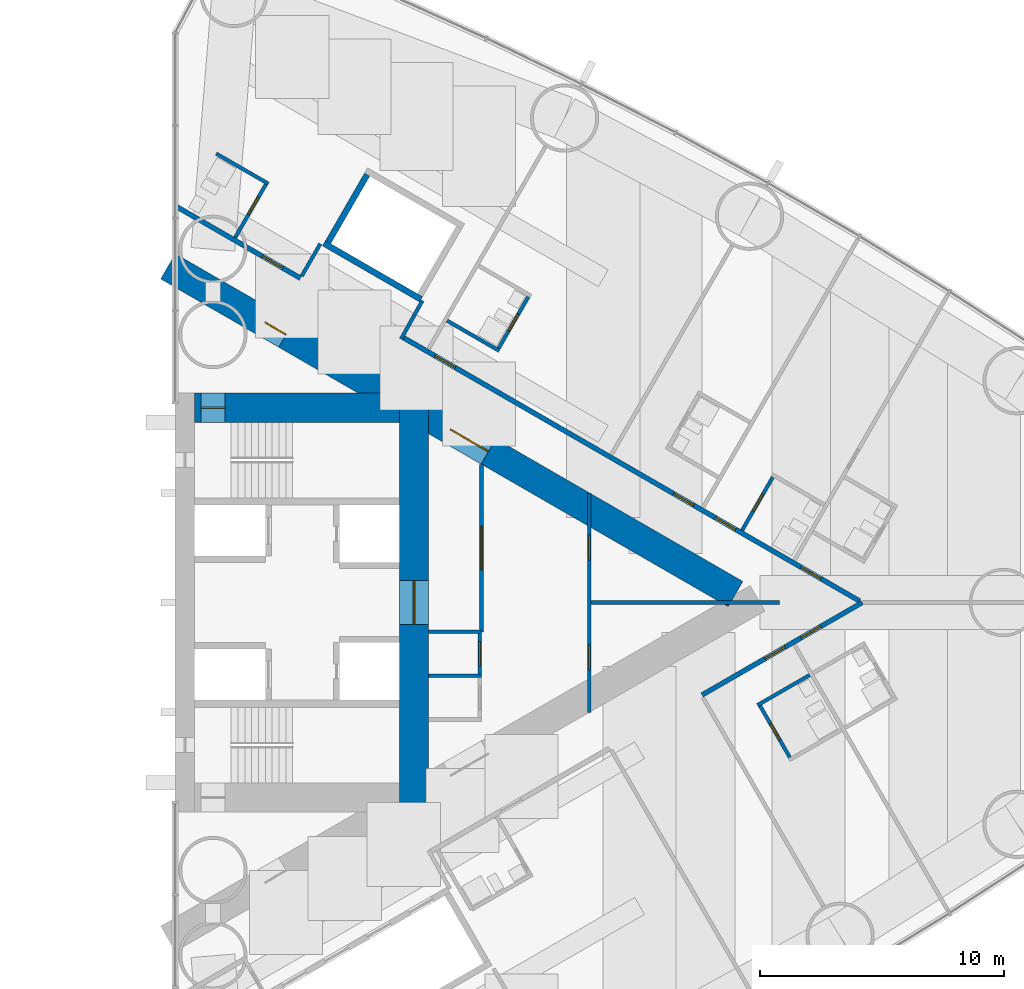
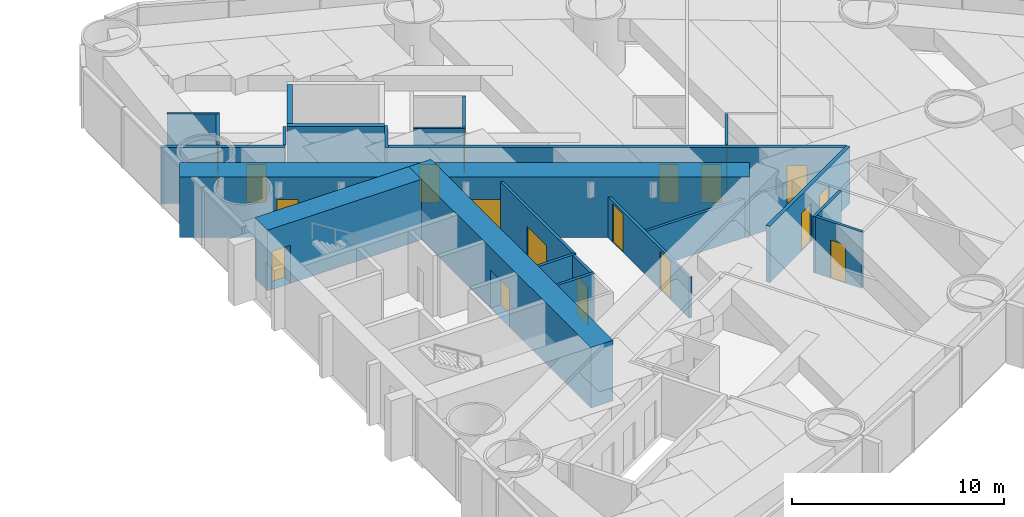
# One storey, part 15 of 19: 23 walls, 19 doors, 19 openings.
"""IFC4 building model written with IfcOpenShell, lengths in metres."""

from ifc_helpers import new_model, si_unit, direction, frame, frame_2d, origin, place, context, subcontext, project, spatial, rectangle, extrude, material, layer, layer_set, type_object, element, fill, save


model = new_model("IFC4")

# Units and contexts
model_context = context("Model", 3, precision=1e-05, world=origin(), true_north=direction((0.0, 1.0)))
body_context = subcontext(model_context, "Body", "Model", "MODEL_VIEW")
ifc_project = project(units=[si_unit("LENGTHUNIT", "METRE"), si_unit("AREAUNIT", "SQUARE_METRE"), si_unit("VOLUMEUNIT", "CUBIC_METRE"), si_unit("PLANEANGLEUNIT", "RADIAN"), si_unit("MASSUNIT", "GRAM", prefix="KILO")], contexts=[model_context])

# Site, building, storey
site_placement = place(None, origin())
site = spatial("IfcSite", under=ifc_project, at=site_placement, CompositionType="ELEMENT")
building_placement = place(site_placement, origin())
building = spatial("IfcBuilding", under=site, at=building_placement, Name="Lancet Gate Hotel", CompositionType="ELEMENT")
storey_placement = place(building_placement, frame((0.0, 0.0, 18.0)))
storey = spatial("IfcBuildingStorey", under=building, at=storey_placement, Name="L03", CompositionType="ELEMENT", Elevation=18.0)

# Wall, opening, door
ifc_material_1 = material(Name="Moisture resistant board partition")
ifc_layer_1 = layer(ifc_material_1, 0.14990234375)
ifc_layer_set_1 = layer_set([ifc_layer_1], Name="Bathroom wall 150")
wall_type_1 = type_object("IfcWallType", Name="Bathroom wall 150", PredefinedType="PARTITIONING", material=ifc_layer_set_1)
wall_1_placement = place(storey_placement, frame((51.47119140625, -4.1748046875, 0.0), z_axis=(0.0, 0.0, 1.0), x_axis=(0.500006934395, -0.866021400173, 0.0)))
wall_1 = element("IfcWall", 1, at=wall_1_placement, inside=storey, type_object=wall_type_1, Name="T2 bathroom wall 150 L03", PredefinedType="PARTITIONING", context=body_context, shape_type="SweptSolid", body=[
    extrude(rectangle(XDim=2.60009765625, YDim=0.14990234375, at=frame_2d((1.300048828125, 0.0))), origin(), (0.0, 0.0, 1.0), 3.25),
])
opening_1_placement = place(wall_1_placement, frame((0.89990234375, 0.0, 0.0)))
opening_1 = element("IfcOpeningElement", 2, at=opening_1_placement, cuts=wall_1, Name="Opening 0356-B", PredefinedType="OPENING", context=body_context, shape_type="SweptSolid", body=[
    extrude(rectangle(XDim=0.800048828125, YDim=2.199951171875, at=frame_2d((0.39990234375, 1.10009765625))), frame((0.0, 0.0849609375, 0.0), z_axis=(0.0, -1.0, 0.0), x_axis=(1.0, 0.0, 0.0)), (0.0, 0.0, 1.0), 0.169921875),
])
ifc_material_2 = material(Name="Timber door set", Category="wood")
door_type_1 = type_object("IfcDoorType", Name="Bathroom door 800", OperationType="SINGLE_SWING_RIGHT", PredefinedType="DOOR", material=ifc_material_2)
door_1_placement = place(opening_1_placement, origin())
door_1 = element("IfcDoor", 3, at=door_1_placement, inside=storey, type_object=door_type_1, Name="0356-B", OperationType="SINGLE_SWING_RIGHT", OverallHeight=2.199951171875, OverallWidth=0.800048828125, PredefinedType="DOOR", context=body_context, shape_type="SweptSolid", body=[
    extrude(rectangle(XDim=0.800048828125, YDim=2.199951171875, at=frame_2d((0.39990234375, 1.10009765625))), frame((0.0, 0.02490234375, 0.0), z_axis=(0.0, -1.0, 0.0), x_axis=(1.0, 0.0, 0.0)), (0.0, 0.0, 1.0), 0.050048828125),
])
fill(opening_1, door_1)

# Wall
wall_2_placement = place(storey_placement, frame((51.40625, -4.21240234375, 0.0), z_axis=(0.0, 0.0, 1.0), x_axis=(0.866031185235, 0.4999899861, 0.0)))
element("IfcWall", 4, at=wall_2_placement, inside=storey, type_object=wall_type_1, Name="T2 bathroom wall 150 L03", PredefinedType="PARTITIONING", context=body_context, shape_type="SweptSolid", body=[
    extrude(rectangle(XDim=2.47509765625, YDim=0.14990234375, at=frame_2d((1.237548828125, 0.0))), origin(), (0.0, 0.0, 1.0), 3.25),
])

# Wall, opening, door
wall_3_placement = place(storey_placement, frame((50.771240234375, 2.96240234375, 0.0), z_axis=(0.0, 0.0, 1.0), x_axis=(0.500006934395, 0.866021400173, 0.0)))
wall_3 = element("IfcWall", 5, at=wall_3_placement, inside=storey, type_object=wall_type_1, Name="T2 bathroom wall 150 L03", PredefinedType="PARTITIONING", context=body_context, shape_type="SweptSolid", body=[
    extrude(rectangle(XDim=2.60009765625, YDim=0.14990234375, at=frame_2d((1.300048828125, 0.0))), origin(), (0.0, 0.0, 1.0), 3.25),
])
opening_2_placement = place(wall_3_placement, frame((0.89990234375, 0.0, 0.0)))
opening_2 = element("IfcOpeningElement", 6, at=opening_2_placement, cuts=wall_3, Name="Opening 0359-B", PredefinedType="OPENING", context=body_context, shape_type="SweptSolid", body=[
    extrude(rectangle(XDim=0.800048828125, YDim=2.199951171875, at=frame_2d((0.39990234375, 1.10009765625))), frame((0.0, 0.0849609375, 0.0), z_axis=(0.0, -1.0, 0.0), x_axis=(1.0, 0.0, 0.0)), (0.0, 0.0, 1.0), 0.169921875),
])
door_2_placement = place(opening_2_placement, origin())
door_2 = element("IfcDoor", 7, at=door_2_placement, inside=storey, type_object=door_type_1, Name="0359-B", OperationType="SINGLE_SWING_RIGHT", OverallHeight=2.199951171875, OverallWidth=0.800048828125, PredefinedType="DOOR", context=body_context, shape_type="SweptSolid", body=[
    extrude(rectangle(XDim=0.800048828125, YDim=2.199951171875, at=frame_2d((0.39990234375, 1.10009765625))), frame((0.0, 0.02490234375, 0.0), z_axis=(0.0, -1.0, 0.0), x_axis=(1.0, 0.0, 0.0)), (0.0, 0.0, 1.0), 0.050048828125),
])
fill(opening_2, door_2)

wall_4_placement = place(storey_placement, frame((40.738525390625, 10.371337890625, 0.0), z_axis=(0.0, 0.0, 1.0), x_axis=(0.500006934395, 0.866021400173, 0.0)))
wall_4 = element("IfcWall", 8, at=wall_4_placement, inside=storey, type_object=wall_type_1, Name="T2 bathroom wall 150 L03", PredefinedType="PARTITIONING", context=body_context, shape_type="SweptSolid", body=[
    extrude(rectangle(XDim=2.60009765625, YDim=0.14990234375, at=frame_2d((1.300048828125, 0.0))), origin(), (0.0, 0.0, 1.0), 3.25),
])
opening_3_placement = place(wall_4_placement, frame((0.89990234375, 0.0, 0.0)))
opening_3 = element("IfcOpeningElement", 9, at=opening_3_placement, cuts=wall_4, Name="Opening 0361-B", PredefinedType="OPENING", context=body_context, shape_type="SweptSolid", body=[
    extrude(rectangle(XDim=0.800048828125, YDim=2.199951171875, at=frame_2d((0.39990234375, 1.10009765625))), frame((0.0, 0.0849609375, 0.0), z_axis=(0.0, -1.0, 0.0), x_axis=(1.0, 0.0, 0.0)), (0.0, 0.0, 1.0), 0.169921875),
])
door_3_placement = place(opening_3_placement, origin())
door_3 = element("IfcDoor", 10, at=door_3_placement, inside=storey, type_object=door_type_1, Name="0361-B", OperationType="SINGLE_SWING_RIGHT", OverallHeight=2.199951171875, OverallWidth=0.800048828125, PredefinedType="DOOR", context=body_context, shape_type="SweptSolid", body=[
    extrude(rectangle(XDim=0.800048828125, YDim=2.199951171875, at=frame_2d((0.39990234375, 1.10009765625))), frame((0.0, 0.02490234375, 0.0), z_axis=(0.0, -1.0, 0.0), x_axis=(1.0, 0.0, 0.0)), (0.0, 0.0, 1.0), 0.050048828125),
])
fill(opening_3, door_3)

# Walls
for number, where, z_axis, x_axis, name in (
    (11, (38.66015625, 11.5712890625, 0.0), (0.0, 0.0, 1.0), (0.866006523861, -0.500032699561, 0.0), "T2 bathroom wall 150 L03"),
    (12, (29.181884765625, 18.42919921875, 0.0), (0.0, 0.0, 1.0), (0.866006523861, -0.500032699561, 0.0), "T2 bathroom wall 150 L03"),
):
    element("IfcWall", number, at=place(storey_placement, frame(where, z_axis=z_axis, x_axis=x_axis)), inside=storey, type_object=wall_type_1, Name=name, PredefinedType="PARTITIONING", context=body_context, shape_type="SweptSolid", body=[
        extrude(rectangle(XDim=2.474853515625, YDim=0.14990234375, at=frame_2d((1.2373046875, 0.0))), origin(), (0.0, 0.0, 1.0), 3.25),
    ])

# Wall, opening, door
wall_5_placement = place(storey_placement, frame((29.960205078125, 14.9775390625, 0.0), z_axis=(0.0, 0.0, 1.0), x_axis=(0.500006934395, 0.866021400173, 0.0)))
wall_5 = element("IfcWall", 13, at=wall_5_placement, inside=storey, type_object=wall_type_1, Name="T2 bathroom wall 150 L03", PredefinedType="PARTITIONING", context=body_context, shape_type="SweptSolid", body=[
    extrude(rectangle(XDim=2.60009765625, YDim=0.14990234375, at=frame_2d((1.300048828125, 0.0))), origin(), (0.0, 0.0, 1.0), 3.25),
])
opening_4_placement = place(wall_5_placement, frame((1.10009765625, 0.0, 0.0)))
opening_4 = element("IfcOpeningElement", 14, at=opening_4_placement, cuts=wall_5, Name="Opening 0363-B", PredefinedType="OPENING", context=body_context, shape_type="SweptSolid", body=[
    extrude(rectangle(XDim=0.800048828125, YDim=2.199951171875, at=frame_2d((0.39990234375, 1.10009765625))), frame((0.0, 0.0849609375, 0.0), z_axis=(0.0, -1.0, 0.0), x_axis=(1.0, 0.0, 0.0)), (0.0, 0.0, 1.0), 0.169921875),
])
door_4_placement = place(opening_4_placement, origin())
door_4 = element("IfcDoor", 15, at=door_4_placement, inside=storey, type_object=door_type_1, Name="0363-B", OperationType="SINGLE_SWING_RIGHT", OverallHeight=2.199951171875, OverallWidth=0.800048828125, PredefinedType="DOOR", context=body_context, shape_type="SweptSolid", body=[
    extrude(rectangle(XDim=0.800048828125, YDim=2.199951171875, at=frame_2d((0.39990234375, 1.10009765625))), frame((0.0, 0.02490234375, 0.0), z_axis=(0.0, -1.0, 0.0), x_axis=(1.0, 0.0, 0.0)), (0.0, 0.0, 1.0), 0.050048828125),
])
fill(opening_4, door_4)

# Wall, openings, doors
ifc_material_3 = material(Name="Concrete C70/85", Category="concrete")
ifc_layer_2 = layer(ifc_material_3, 1.199951171875)
ifc_layer_set_2 = layer_set([ifc_layer_2], Name="Buttress wall 1200")
wall_type_2 = type_object("IfcWallType", Name="Buttress wall 1200", PredefinedType="SHEAR", material=ifc_layer_set_2)
wall_6_placement = place(storey_placement, frame((27.199951171875, 13.800048828125, 0.0), z_axis=(0.0, 0.0, 1.0), x_axis=(0.866024515034, -0.500001539357, 0.0)))
wall_6 = element("IfcWall", 16, at=wall_6_placement, inside=storey, type_object=wall_type_2, Name="T2 buttress wall N L03", PredefinedType="SHEAR", context=body_context, shape_type="SweptSolid", body=[
    extrude(rectangle(XDim=26.9072265625, YDim=1.199951171875, at=frame_2d((13.45361328125, 0.0))), origin(), (0.0, 0.0, 1.0), 3.5),
])
opening_5_placement = place(wall_6_placement, frame((4.60009765625, 0.0, 0.0)))
opening_5 = element("IfcOpeningElement", 17, at=opening_5_placement, cuts=wall_6, Name="Opening T2-L03-LN", PredefinedType="OPENING", context=body_context, shape_type="SweptSolid", body=[
    extrude(rectangle(XDim=1.0, YDim=2.199951171875, at=frame_2d((0.5, 1.10009765625))), frame((0.0, 0.60986328125, 0.0), z_axis=(0.0, -1.0, 0.0), x_axis=(1.0, 0.0, 0.0)), (0.0, 0.0, 1.0), 1.219970703125),
])
opening_6_placement = place(wall_6_placement, frame((13.39453125, 0.0, 0.0)))
opening_6 = element("IfcOpeningElement", 18, at=opening_6_placement, cuts=wall_6, Name="Opening T2-L03-LHN", PredefinedType="OPENING", context=body_context, shape_type="SweptSolid", body=[
    extrude(rectangle(XDim=1.800048828125, YDim=2.199951171875, at=frame_2d((0.89990234375, 1.10009765625))), frame((0.0, 0.60986328125, 0.0), z_axis=(0.0, -1.0, 0.0), x_axis=(1.0, 0.0, 0.0)), (0.0, 0.0, 1.0), 1.219970703125),
])
ifc_material_4 = material(Name="Timber door set", Category="wood")
door_type_2 = type_object("IfcDoorType", Name="Lobby double door 1800", OperationType="DOUBLE_DOOR_SINGLE_SWING", PredefinedType="DOOR", material=ifc_material_4)
door_5_placement = place(opening_6_placement, origin())
door_5 = element("IfcDoor", 19, at=door_5_placement, inside=storey, type_object=door_type_2, Name="T2-L03-LHN", OperationType="DOUBLE_DOOR_SINGLE_SWING", OverallHeight=2.199951171875, OverallWidth=1.800048828125, PredefinedType="DOOR", context=body_context, shape_type="SweptSolid", body=[
    extrude(rectangle(XDim=1.800048828125, YDim=2.199951171875, at=frame_2d((0.89990234375, 1.10009765625))), frame((0.0, 0.02490234375, 0.0), z_axis=(0.0, -1.0, 0.0), x_axis=(1.0, 0.0, 0.0)), (0.0, 0.0, 1.0), 0.050048828125),
])
fill(opening_6, door_5)
ifc_material_5 = material(Name="Timber door set", Category="wood")
door_type_3 = type_object("IfcDoorType", Name="Stair lobby door 1000", OperationType="SINGLE_SWING_LEFT", PredefinedType="DOOR", material=ifc_material_5)
door_6_placement = place(opening_5_placement, origin())
door_6 = element("IfcDoor", 20, at=door_6_placement, inside=storey, type_object=door_type_3, Name="T2-L03-LN", OperationType="SINGLE_SWING_LEFT", OverallHeight=2.199951171875, OverallWidth=1.0, PredefinedType="DOOR", context=body_context, shape_type="SweptSolid", body=[
    extrude(rectangle(XDim=1.0, YDim=2.199951171875, at=frame_2d((0.5, 1.10009765625))), frame((0.0, 0.02490234375, 0.0), z_axis=(0.0, -1.0, 0.0), x_axis=(1.0, 0.0, 0.0)), (0.0, 0.0, 1.0), 0.050048828125),
])
fill(opening_5, door_6)

# Wall, opening, door
ifc_material_6 = material(Name="Concrete C70/85", Category="concrete")
ifc_layer_3 = layer(ifc_material_6, 1.199951171875)
ifc_layer_set_3 = layer_set([ifc_layer_3], Name="Core wall 1200")
wall_type_3 = type_object("IfcWallType", Name="Core wall 1200", PredefinedType="SHEAR", material=ifc_layer_set_3)
wall_7_placement = place(storey_placement, frame((37.300048828125, -8.60009765625, 0.0), z_axis=(0.0, 0.0, 1.0), x_axis=(0.0, 1.0, 0.0)))
wall_7 = element("IfcWall", 21, at=wall_7_placement, inside=storey, type_object=wall_type_3, Name="T2 core wall back L03", PredefinedType="SHEAR", context=body_context, shape_type="SweptSolid", body=[
    extrude(rectangle(XDim=17.2001953125, YDim=1.199951171875, at=frame_2d((8.60009765625, 0.0))), origin(), (0.0, 0.0, 1.0), 3.5),
])
opening_7_placement = place(wall_7_placement, frame((7.699951171875, 0.0, 0.0)))
opening_7 = element("IfcOpeningElement", 22, at=opening_7_placement, cuts=wall_7, Name="Opening T2-L03-LL", PredefinedType="OPENING", context=body_context, shape_type="SweptSolid", body=[
    extrude(rectangle(XDim=1.800048828125, YDim=2.199951171875, at=frame_2d((0.89990234375, 1.10009765625))), frame((0.0, 0.60986328125, 0.0), z_axis=(0.0, -1.0, 0.0), x_axis=(1.0, 0.0, 0.0)), (0.0, 0.0, 1.0), 1.219970703125),
])
door_7_placement = place(opening_7_placement, origin())
door_7 = element("IfcDoor", 23, at=door_7_placement, inside=storey, type_object=door_type_2, Name="T2-L03-LL", OperationType="DOUBLE_DOOR_SINGLE_SWING", OverallHeight=2.199951171875, OverallWidth=1.800048828125, PredefinedType="DOOR", context=body_context, shape_type="SweptSolid", body=[
    extrude(rectangle(XDim=1.800048828125, YDim=2.199951171875, at=frame_2d((0.89990234375, 1.10009765625))), frame((0.0, 0.02490234375, 0.0), z_axis=(0.0, -1.0, 0.0), x_axis=(1.0, 0.0, 0.0)), (0.0, 0.0, 1.0), 0.050048828125),
])
fill(opening_7, door_7)

wall_8_placement = place(storey_placement, frame((28.300048828125, 8.0, 0.0), z_axis=(0.0, 0.0, 1.0), x_axis=(1.0, 0.0, 0.0)))
wall_8 = element("IfcWall", 24, at=wall_8_placement, inside=storey, type_object=wall_type_3, Name="T2 core wall side-N L03", PredefinedType="SHEAR", context=body_context, shape_type="SweptSolid", body=[
    extrude(rectangle(XDim=8.39990234375, YDim=1.199951171875, at=frame_2d((4.199951171875, 0.0))), origin(), (0.0, 0.0, 1.0), 3.5),
])
opening_8_placement = place(wall_8_placement, frame((0.25, 0.0, 0.0)))
opening_8 = element("IfcOpeningElement", 25, at=opening_8_placement, cuts=wall_8, Name="Opening T2-L03-ST2", PredefinedType="OPENING", context=body_context, shape_type="SweptSolid", body=[
    extrude(rectangle(XDim=1.0, YDim=2.199951171875, at=frame_2d((0.5, 1.10009765625))), frame((0.0, 0.60986328125, 0.0), z_axis=(0.0, -1.0, 0.0), x_axis=(1.0, 0.0, 0.0)), (0.0, 0.0, 1.0), 1.219970703125),
])
ifc_material_7 = material(Name="Timber door set", Category="wood")
door_type_4 = type_object("IfcDoorType", Name="Stair door 1000", OperationType="SINGLE_SWING_RIGHT", PredefinedType="DOOR", material=ifc_material_7)
door_8_placement = place(opening_8_placement, origin())
door_8 = element("IfcDoor", 26, at=door_8_placement, inside=storey, type_object=door_type_4, Name="T2-L03-ST2", OperationType="SINGLE_SWING_RIGHT", OverallHeight=2.199951171875, OverallWidth=1.0, PredefinedType="DOOR", context=body_context, shape_type="SweptSolid", body=[
    extrude(rectangle(XDim=1.0, YDim=2.199951171875, at=frame_2d((0.5, 1.10009765625))), frame((0.0, 0.02490234375, 0.0), z_axis=(0.0, -1.0, 0.0), x_axis=(1.0, 0.0, 0.0)), (0.0, 0.0, 1.0), 0.050048828125),
])
fill(opening_8, door_8)

ifc_material_8 = material(Name="Gypsum board partition")
ifc_layer_4 = layer(ifc_material_8, 0.199951171875)
ifc_layer_set_4 = layer_set([ifc_layer_4], Name="Corridor wall 200")
wall_type_4 = type_object("IfcWallType", Name="Corridor wall 200", PredefinedType="PARTITIONING", material=ifc_layer_set_4)
wall_9_placement = place(storey_placement, frame((27.572021484375, 16.240966796875, 0.0), z_axis=(0.0, 0.0, 1.0), x_axis=(0.866032814021, -0.499987164874, 0.0)))
wall_9 = element("IfcWall", 27, at=wall_9_placement, inside=storey, type_object=wall_type_4, Name="T2 corridor wall 200 L03", PredefinedType="PARTITIONING", context=body_context, shape_type="SweptSolid", body=[
    extrude(rectangle(XDim=5.854736328125, YDim=0.199951171875, at=frame_2d((2.92724609375, 0.0))), origin(), (0.0, 0.0, 1.0), 3.25),
])
opening_9_placement = place(wall_9_placement, frame((4.050048828125, 0.0, 0.0)))
opening_9 = element("IfcOpeningElement", 28, at=opening_9_placement, cuts=wall_9, Name="Opening 0363-E", PredefinedType="OPENING", context=body_context, shape_type="SweptSolid", body=[
    extrude(rectangle(XDim=0.949951171875, YDim=2.199951171875, at=frame_2d((0.47509765625, 1.10009765625))), frame((0.0, 0.10986328125, 0.0), z_axis=(0.0, -1.0, 0.0), x_axis=(1.0, 0.0, 0.0)), (0.0, 0.0, 1.0), 0.219970703125),
])
ifc_material_9 = material(Name="Timber door set", Category="wood")
door_type_5 = type_object("IfcDoorType", Name="Guest room entry door 950", OperationType="SINGLE_SWING_LEFT", PredefinedType="DOOR", material=ifc_material_9)
door_9_placement = place(opening_9_placement, origin())
door_9 = element("IfcDoor", 29, at=door_9_placement, inside=storey, type_object=door_type_5, Name="0363-E", OperationType="SINGLE_SWING_LEFT", OverallHeight=2.199951171875, OverallWidth=0.949951171875, PredefinedType="DOOR", context=body_context, shape_type="SweptSolid", body=[
    extrude(rectangle(XDim=0.949951171875, YDim=2.199951171875, at=frame_2d((0.47509765625, 1.10009765625))), frame((0.0, 0.02490234375, 0.0), z_axis=(0.0, -1.0, 0.0), x_axis=(1.0, 0.0, 0.0)), (0.0, 0.0, 1.0), 0.050048828125),
])
fill(opening_9, door_9)

# Wall, openings, doors
wall_10_placement = place(storey_placement, frame((36.833984375, 10.8935546875, 0.0), z_axis=(0.0, 0.0, 1.0), x_axis=(0.866028157229, -0.499995230863, 0.0)))
wall_10 = element("IfcWall", 30, at=wall_10_placement, inside=storey, type_object=wall_type_4, Name="T2 corridor wall 200 L03", PredefinedType="PARTITIONING", context=body_context, shape_type="SweptSolid", body=[
    extrude(rectangle(XDim=21.667236328125, YDim=0.199951171875, at=frame_2d((10.83349609375, 0.0))), origin(), (0.0, 0.0, 1.0), 3.25),
])
opening_10_placement = place(wall_10_placement, frame((18.885498046875, 0.0, 0.0)))
opening_10 = element("IfcOpeningElement", 31, at=opening_10_placement, cuts=wall_10, Name="Opening 0358-E", PredefinedType="OPENING", context=body_context, shape_type="SweptSolid", body=[
    extrude(rectangle(XDim=0.949951171875, YDim=2.199951171875, at=frame_2d((0.47509765625, 1.10009765625))), frame((0.0, 0.10986328125, 0.0), z_axis=(0.0, -1.0, 0.0), x_axis=(1.0, 0.0, 0.0)), (0.0, 0.0, 1.0), 0.219970703125),
])
opening_11_placement = place(wall_10_placement, frame((14.83544921875, 0.0, 0.0)))
opening_11 = element("IfcOpeningElement", 32, at=opening_11_placement, cuts=wall_10, Name="Opening 0359-E", PredefinedType="OPENING", context=body_context, shape_type="SweptSolid", body=[
    extrude(rectangle(XDim=0.949951171875, YDim=2.199951171875, at=frame_2d((0.47509765625, 1.10009765625))), frame((0.0, 0.10986328125, 0.0), z_axis=(0.0, -1.0, 0.0), x_axis=(1.0, 0.0, 0.0)), (0.0, 0.0, 1.0), 0.219970703125),
])
opening_12_placement = place(wall_10_placement, frame((12.849609375, 0.0, 0.0)))
opening_12 = element("IfcOpeningElement", 33, at=opening_12_placement, cuts=wall_10, Name="Opening 0360-E", PredefinedType="OPENING", context=body_context, shape_type="SweptSolid", body=[
    extrude(rectangle(XDim=0.949951171875, YDim=2.199951171875, at=frame_2d((0.47509765625, 1.10009765625))), frame((0.0, 0.10986328125, 0.0), z_axis=(0.0, -1.0, 0.0), x_axis=(1.0, 0.0, 0.0)), (0.0, 0.0, 1.0), 0.219970703125),
])
opening_13_placement = place(wall_10_placement, frame((1.54248046875, 0.0, 0.0)))
opening_13 = element("IfcOpeningElement", 34, at=opening_13_placement, cuts=wall_10, Name="Opening 0361-E", PredefinedType="OPENING", context=body_context, shape_type="SweptSolid", body=[
    extrude(rectangle(XDim=0.949951171875, YDim=2.199951171875, at=frame_2d((0.47509765625, 1.10009765625))), frame((0.0, 0.10986328125, 0.0), z_axis=(0.0, -1.0, 0.0), x_axis=(1.0, 0.0, 0.0)), (0.0, 0.0, 1.0), 0.219970703125),
])
door_10_placement = place(opening_10_placement, origin())
door_10 = element("IfcDoor", 35, at=door_10_placement, inside=storey, type_object=door_type_5, Name="0358-E", OperationType="SINGLE_SWING_LEFT", OverallHeight=2.199951171875, OverallWidth=0.949951171875, PredefinedType="DOOR", context=body_context, shape_type="SweptSolid", body=[
    extrude(rectangle(XDim=0.949951171875, YDim=2.199951171875, at=frame_2d((0.47509765625, 1.10009765625))), frame((0.0, 0.02490234375, 0.0), z_axis=(0.0, -1.0, 0.0), x_axis=(1.0, 0.0, 0.0)), (0.0, 0.0, 1.0), 0.050048828125),
])
fill(opening_10, door_10)
door_11_placement = place(opening_11_placement, origin())
door_11 = element("IfcDoor", 36, at=door_11_placement, inside=storey, type_object=door_type_5, Name="0359-E", OperationType="SINGLE_SWING_LEFT", OverallHeight=2.199951171875, OverallWidth=0.949951171875, PredefinedType="DOOR", context=body_context, shape_type="SweptSolid", body=[
    extrude(rectangle(XDim=0.949951171875, YDim=2.199951171875, at=frame_2d((0.47509765625, 1.10009765625))), frame((0.0, 0.02490234375, 0.0), z_axis=(0.0, -1.0, 0.0), x_axis=(1.0, 0.0, 0.0)), (0.0, 0.0, 1.0), 0.050048828125),
])
fill(opening_11, door_11)
door_12_placement = place(opening_12_placement, origin())
door_12 = element("IfcDoor", 37, at=door_12_placement, inside=storey, type_object=door_type_5, Name="0360-E", OperationType="SINGLE_SWING_LEFT", OverallHeight=2.199951171875, OverallWidth=0.949951171875, PredefinedType="DOOR", context=body_context, shape_type="SweptSolid", body=[
    extrude(rectangle(XDim=0.949951171875, YDim=2.199951171875, at=frame_2d((0.47509765625, 1.10009765625))), frame((0.0, 0.02490234375, 0.0), z_axis=(0.0, -1.0, 0.0), x_axis=(1.0, 0.0, 0.0)), (0.0, 0.0, 1.0), 0.050048828125),
])
fill(opening_12, door_12)
door_13_placement = place(opening_13_placement, origin())
door_13 = element("IfcDoor", 38, at=door_13_placement, inside=storey, type_object=door_type_5, Name="0361-E", OperationType="SINGLE_SWING_LEFT", OverallHeight=2.199951171875, OverallWidth=0.949951171875, PredefinedType="DOOR", context=body_context, shape_type="SweptSolid", body=[
    extrude(rectangle(XDim=0.949951171875, YDim=2.199951171875, at=frame_2d((0.47509765625, 1.10009765625))), frame((0.0, 0.02490234375, 0.0), z_axis=(0.0, -1.0, 0.0), x_axis=(1.0, 0.0, 0.0)), (0.0, 0.0, 1.0), 0.050048828125),
])
fill(opening_13, door_13)

wall_11_placement = place(storey_placement, frame((49.131103515625, -3.793701171875, 0.0), z_axis=(0.0, 0.0, 1.0), x_axis=(0.866030732979, 0.499990769451, 0.0)))
wall_11 = element("IfcWall", 39, at=wall_11_placement, inside=storey, type_object=wall_type_4, Name="T2 corridor wall 200 L03", PredefinedType="PARTITIONING", context=body_context, shape_type="SweptSolid", body=[
    extrude(rectangle(XDim=7.587646484375, YDim=0.199951171875, at=frame_2d((3.7939453125, 0.0))), origin(), (0.0, 0.0, 1.0), 3.25),
])
opening_14_placement = place(wall_11_placement, frame((2.986083984375, 0.0, 0.0)))
opening_14 = element("IfcOpeningElement", 40, at=opening_14_placement, cuts=wall_11, Name="Opening 0356-E", PredefinedType="OPENING", context=body_context, shape_type="SweptSolid", body=[
    extrude(rectangle(XDim=0.949951171875, YDim=2.199951171875, at=frame_2d((0.47509765625, 1.10009765625))), frame((0.0, 0.10986328125, 0.0), z_axis=(0.0, -1.0, 0.0), x_axis=(1.0, 0.0, 0.0)), (0.0, 0.0, 1.0), 0.219970703125),
])
opening_15_placement = place(wall_11_placement, frame((4.68603515625, 0.0, 0.0)))
opening_15 = element("IfcOpeningElement", 41, at=opening_15_placement, cuts=wall_11, Name="Opening 0357-E", PredefinedType="OPENING", context=body_context, shape_type="SweptSolid", body=[
    extrude(rectangle(XDim=0.949951171875, YDim=2.199951171875, at=frame_2d((0.47509765625, 1.10009765625))), frame((0.0, 0.10986328125, 0.0), z_axis=(0.0, -1.0, 0.0), x_axis=(1.0, 0.0, 0.0)), (0.0, 0.0, 1.0), 0.219970703125),
])
door_14_placement = place(opening_14_placement, origin())
door_14 = element("IfcDoor", 42, at=door_14_placement, inside=storey, type_object=door_type_5, Name="0356-E", OperationType="SINGLE_SWING_LEFT", OverallHeight=2.199951171875, OverallWidth=0.949951171875, PredefinedType="DOOR", context=body_context, shape_type="SweptSolid", body=[
    extrude(rectangle(XDim=0.949951171875, YDim=2.199951171875, at=frame_2d((0.47509765625, 1.10009765625))), frame((0.0, 0.02490234375, 0.0), z_axis=(0.0, -1.0, 0.0), x_axis=(1.0, 0.0, 0.0)), (0.0, 0.0, 1.0), 0.050048828125),
])
fill(opening_14, door_14)
door_15_placement = place(opening_15_placement, origin())
door_15 = element("IfcDoor", 43, at=door_15_placement, inside=storey, type_object=door_type_5, Name="0357-E", OperationType="SINGLE_SWING_LEFT", OverallHeight=2.199951171875, OverallWidth=0.949951171875, PredefinedType="DOOR", context=body_context, shape_type="SweptSolid", body=[
    extrude(rectangle(XDim=0.949951171875, YDim=2.199951171875, at=frame_2d((0.47509765625, 1.10009765625))), frame((0.0, 0.02490234375, 0.0), z_axis=(0.0, -1.0, 0.0), x_axis=(1.0, 0.0, 0.0)), (0.0, 0.0, 1.0), 0.050048828125),
])
fill(opening_15, door_15)

# Walls
ifc_material_10 = material(Name="Gypsum board partition")
ifc_layer_5 = layer(ifc_material_10, 0.25)
ifc_layer_set_5 = layer_set([ifc_layer_5], Name="Lift shaft partition 250")
wall_type_5 = type_object("IfcWallType", Name="Lift shaft partition 250", PredefinedType="PARTITIONING", material=ifc_layer_set_5)
wall_12_placement = place(storey_placement, frame((33.6083984375, 14.747314453125, 0.0), z_axis=(0.0, 0.0, 1.0), x_axis=(0.866043305498, -0.49996899204, 0.0)))
element("IfcWall", 44, at=wall_12_placement, inside=storey, type_object=wall_type_5, Name="T2 lift shaft wall EX L03", PredefinedType="PARTITIONING", context=body_context, shape_type="SweptSolid", body=[
    extrude(rectangle(XDim=4.600341796875, YDim=0.25, at=frame_2d((2.30029296875, 0.0))), origin(), (0.0, 0.0, 1.0), 3.25),
])
wall_13_placement = place(storey_placement, frame((33.779296875, 14.79296875, 0.0), z_axis=(0.0, 0.0, 1.0), x_axis=(0.499929347863, 0.866066190972, 0.0)))
element("IfcWall", 45, at=wall_13_placement, inside=storey, type_object=wall_type_5, Name="T2 lift shaft wall EX L03", PredefinedType="PARTITIONING", context=body_context, shape_type="SweptSolid", body=[
    extrude(rectangle(XDim=3.20068359375, YDim=0.25, at=frame_2d((1.600341796875, 0.0))), origin(), (0.0, 0.0, 1.0), 3.25),
])
ifc_material_11 = material(Name="Gypsum board partition")
ifc_layer_6 = layer(ifc_material_11, 0.14990234375)
ifc_layer_set_6 = layer_set([ifc_layer_6], Name="Service room wall 150")
wall_type_6 = type_object("IfcWallType", Name="Service room wall 150", PredefinedType="PARTITIONING", material=ifc_layer_set_6)
wall_14_placement = place(storey_placement, frame((36.77099609375, 10.814453125, 0.0), z_axis=(0.0, 0.0, 1.0), x_axis=(0.485585508183, 0.874189175317, 0.0)))
element("IfcWall", 46, at=wall_14_placement, inside=storey, type_object=wall_type_6, Name="T2 service room wall 150 L03", PredefinedType="PARTITIONING", context=body_context, shape_type="SweptSolid", body=[
    extrude(rectangle(XDim=1.804931640625, YDim=0.14990234375, at=frame_2d((0.90234375, 0.0))), origin(), (0.0, 0.0, 1.0), 3.25),
])
wall_15_placement = place(storey_placement, frame((32.6923828125, 13.400390625, 0.0), z_axis=(0.0, 0.0, 1.0), x_axis=(0.499985008713, 0.866034058835, 0.0)))
element("IfcWall", 47, at=wall_15_placement, inside=storey, type_object=wall_type_6, Name="T2 service room wall 150 L03", PredefinedType="PARTITIONING", context=body_context, shape_type="SweptSolid", body=[
    extrude(rectangle(XDim=1.529296875, YDim=0.14990234375, at=frame_2d((0.7646484375, 0.0))), origin(), (0.0, 0.0, 1.0), 3.25),
])
for number, where, z_axis, x_axis, name in (
    (48, (37.89990234375, -1.199951171875, 0.0), (0.0, 0.0, 1.0), (1.0, 0.0, 0.0), "T2 service room wall 150 L03"),
    (49, (37.89990234375, -3.0, 0.0), (0.0, 0.0, 1.0), (1.0, 0.0, 0.0), "T2 service room wall 150 L03"),
):
    element("IfcWall", number, at=place(storey_placement, frame(where, z_axis=z_axis, x_axis=x_axis)), inside=storey, type_object=wall_type_6, Name=name, PredefinedType="PARTITIONING", context=body_context, shape_type="SweptSolid", body=[
        extrude(rectangle(XDim=2.175048828125, YDim=0.14990234375, at=frame_2d((1.08740234375, 0.0))), origin(), (0.0, 0.0, 1.0), 3.25),
    ])

# Wall, opening, door
wall_16_placement = place(storey_placement, frame((40.0, -3.074951171875, 0.0), z_axis=(0.0, 0.0, 1.0), x_axis=(0.0, 1.0, 0.0)))
wall_16 = element("IfcWall", 50, at=wall_16_placement, inside=storey, type_object=wall_type_6, Name="T2 service room wall 150 L03", PredefinedType="PARTITIONING", context=body_context, shape_type="SweptSolid", body=[
    extrude(rectangle(XDim=1.949951171875, YDim=0.14990234375, at=frame_2d((0.97509765625, 0.0))), origin(), (0.0, 0.0, 1.0), 3.25),
])
opening_16_placement = place(wall_16_placement, frame((0.47509765625, 0.0, 0.0)))
opening_16 = element("IfcOpeningElement", 51, at=opening_16_placement, cuts=wall_16, Name="Opening T2-L03-HRS0", PredefinedType="OPENING", context=body_context, shape_type="SweptSolid", body=[
    extrude(rectangle(XDim=1.0, YDim=2.199951171875, at=frame_2d((0.5, 1.10009765625))), frame((0.0, 0.0849609375, 0.0), z_axis=(0.0, -1.0, 0.0), x_axis=(1.0, 0.0, 0.0)), (0.0, 0.0, 1.0), 0.169921875),
])
ifc_material_12 = material(Name="Timber door set", Category="wood")
door_type_6 = type_object("IfcDoorType", Name="Service door 1000", OperationType="SINGLE_SWING_LEFT", PredefinedType="DOOR", material=ifc_material_12)
door_16_placement = place(opening_16_placement, origin())
door_16 = element("IfcDoor", 52, at=door_16_placement, inside=storey, type_object=door_type_6, Name="T2-L03-HRS0", OperationType="SINGLE_SWING_LEFT", OverallHeight=2.199951171875, OverallWidth=1.0, PredefinedType="DOOR", context=body_context, shape_type="SweptSolid", body=[
    extrude(rectangle(XDim=1.0, YDim=2.199951171875, at=frame_2d((0.5, 1.10009765625))), frame((0.0, 0.02490234375, 0.0), z_axis=(0.0, -1.0, 0.0), x_axis=(1.0, 0.0, 0.0)), (0.0, 0.0, 1.0), 0.050048828125),
])
fill(opening_16, door_16)

wall_17_placement = place(storey_placement, frame((40.074951171875, -1.199951171875, 0.0), z_axis=(0.0, 0.0, 1.0), x_axis=(0.0, 1.0, 0.0)))
wall_17 = element("IfcWall", 53, at=wall_17_placement, inside=storey, type_object=wall_type_6, Name="T2 service room wall 150 L03", PredefinedType="PARTITIONING", context=body_context, shape_type="SweptSolid", body=[
    extrude(rectangle(XDim=6.873779296875, YDim=0.14990234375, at=frame_2d((3.43701171875, 0.0))), origin(), (0.0, 0.0, 1.0), 3.25),
])
opening_17_placement = place(wall_17_placement, frame((2.536865234375, 0.0, 0.0)))
opening_17 = element("IfcOpeningElement", 54, at=opening_17_placement, cuts=wall_17, Name="Opening T2-L03-LH", PredefinedType="OPENING", context=body_context, shape_type="SweptSolid", body=[
    extrude(rectangle(XDim=1.800048828125, YDim=2.199951171875, at=frame_2d((0.89990234375, 1.10009765625))), frame((0.0, 0.0849609375, 0.0), z_axis=(0.0, -1.0, 0.0), x_axis=(1.0, 0.0, 0.0)), (0.0, 0.0, 1.0), 0.169921875),
])
door_17_placement = place(opening_17_placement, origin())
door_17 = element("IfcDoor", 55, at=door_17_placement, inside=storey, type_object=door_type_2, Name="T2-L03-LH", OperationType="DOUBLE_DOOR_SINGLE_SWING", OverallHeight=2.199951171875, OverallWidth=1.800048828125, PredefinedType="DOOR", context=body_context, shape_type="SweptSolid", body=[
    extrude(rectangle(XDim=1.800048828125, YDim=2.199951171875, at=frame_2d((0.89990234375, 1.10009765625))), frame((0.0, 0.02490234375, 0.0), z_axis=(0.0, -1.0, 0.0), x_axis=(1.0, 0.0, 0.0)), (0.0, 0.0, 1.0), 0.050048828125),
])
fill(opening_17, door_17)

# Wall, openings, doors
wall_18_placement = place(storey_placement, frame((44.5, -4.504638671875, 0.0), z_axis=(0.0, 0.0, 1.0), x_axis=(0.0, 1.0, 0.0)))
wall_18 = element("IfcWall", 56, at=wall_18_placement, inside=storey, type_object=wall_type_6, Name="T2 service room wall 150 L03", PredefinedType="PARTITIONING", context=body_context, shape_type="SweptSolid", body=[
    extrude(rectangle(XDim=9.00927734375, YDim=0.14990234375, at=frame_2d((4.504638671875, 0.0))), origin(), (0.0, 0.0, 1.0), 2.35009765625),
])
opening_18_placement = place(wall_18_placement, frame((1.752197265625, 0.0, 0.0)))
opening_18 = element("IfcOpeningElement", 57, at=opening_18_placement, cuts=wall_18, Name="Opening T2-L03-SV", PredefinedType="OPENING", context=body_context, shape_type="SweptSolid", body=[
    extrude(rectangle(XDim=1.0, YDim=2.199951171875, at=frame_2d((0.5, 1.10009765625))), frame((0.0, 0.0849609375, 0.0), z_axis=(0.0, -1.0, 0.0), x_axis=(1.0, 0.0, 0.0)), (0.0, 0.0, 1.0), 0.169921875),
])
opening_19_placement = place(wall_18_placement, frame((6.2568359375, 0.0, 0.0)))
opening_19 = element("IfcOpeningElement", 58, at=opening_19_placement, cuts=wall_18, Name="Opening T2-L03-SV2", PredefinedType="OPENING", context=body_context, shape_type="SweptSolid", body=[
    extrude(rectangle(XDim=1.0, YDim=2.199951171875, at=frame_2d((0.5, 1.10009765625))), frame((0.0, 0.0849609375, 0.0), z_axis=(0.0, -1.0, 0.0), x_axis=(1.0, 0.0, 0.0)), (0.0, 0.0, 1.0), 0.169921875),
])
door_18_placement = place(opening_18_placement, origin())
door_18 = element("IfcDoor", 59, at=door_18_placement, inside=storey, type_object=door_type_6, Name="T2-L03-SV", OperationType="SINGLE_SWING_LEFT", OverallHeight=2.199951171875, OverallWidth=1.0, PredefinedType="DOOR", context=body_context, shape_type="SweptSolid", body=[
    extrude(rectangle(XDim=1.0, YDim=2.199951171875, at=frame_2d((0.5, 1.10009765625))), frame((0.0, 0.02490234375, 0.0), z_axis=(0.0, -1.0, 0.0), x_axis=(1.0, 0.0, 0.0)), (0.0, 0.0, 1.0), 0.050048828125),
])
fill(opening_18, door_18)
door_19_placement = place(opening_19_placement, origin())
door_19 = element("IfcDoor", 60, at=door_19_placement, inside=storey, type_object=door_type_6, Name="T2-L03-SV2", OperationType="SINGLE_SWING_LEFT", OverallHeight=2.199951171875, OverallWidth=1.0, PredefinedType="DOOR", context=body_context, shape_type="SweptSolid", body=[
    extrude(rectangle(XDim=1.0, YDim=2.199951171875, at=frame_2d((0.5, 1.10009765625))), frame((0.0, 0.02490234375, 0.0), z_axis=(0.0, -1.0, 0.0), x_axis=(1.0, 0.0, 0.0)), (0.0, 0.0, 1.0), 0.050048828125),
])
fill(opening_19, door_19)

# Wall
wall_19_placement = place(storey_placement, frame((44.574951171875, 0.0, 0.0), z_axis=(0.0, 0.0, 1.0), x_axis=(1.0, 0.0, 0.0)))
element("IfcWall", 61, at=wall_19_placement, inside=storey, type_object=wall_type_6, Name="T2 service room wall 150 L03", PredefinedType="PARTITIONING", context=body_context, shape_type="SweptSolid", body=[
    extrude(rectangle(XDim=7.727294921875, YDim=0.14990234375, at=frame_2d((3.86376953125, 0.0))), origin(), (0.0, 0.0, 1.0), 2.25),
])

save(model, "model.ifc")
